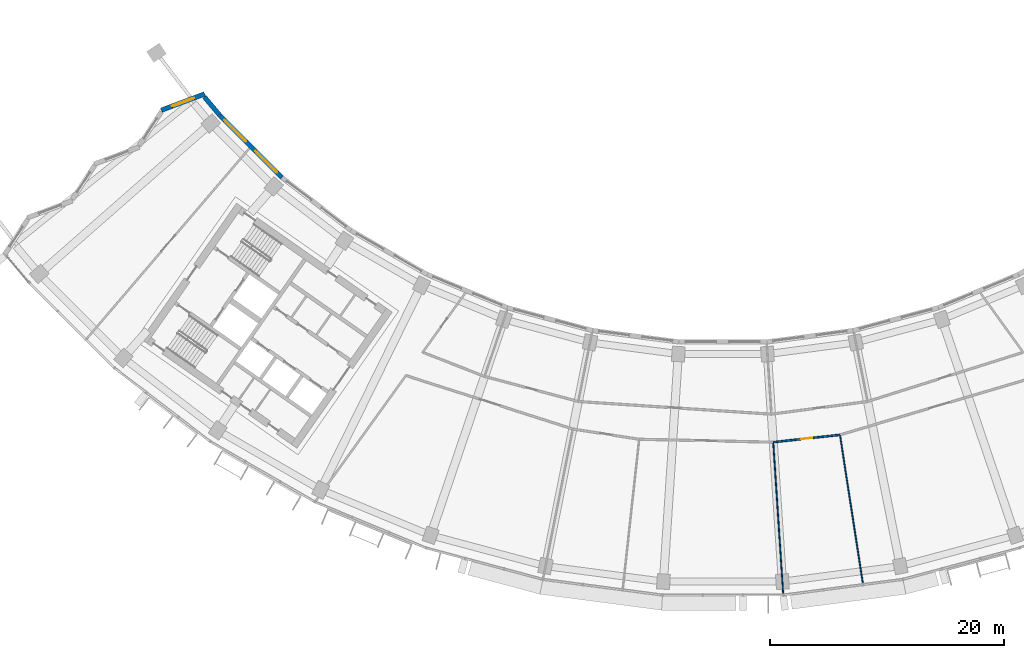
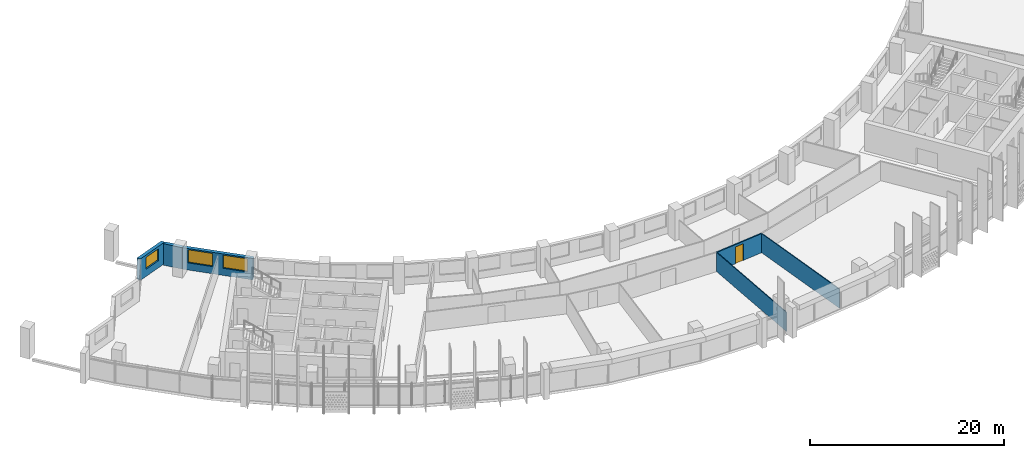
# One storey, part 5 of 27: 6 walls, 3 windows, 1 door, 4 openings.
"""IFC4 building model written with IfcOpenShell, lengths in metres."""

from ifc_helpers import new_model, si_unit, direction, frame, frame_2d, origin, place, context, subcontext, project, spatial, rectangle, extrude, material, layer, layer_set, type_object, element, fill, save


model = new_model("IFC4")

# Units and contexts
model_context = context("Model", 3, precision=1e-05, world=origin(), true_north=direction((0.0, 1.0)))
body_context = subcontext(model_context, "Body", "Model", "MODEL_VIEW")
ifc_project = project(units=[si_unit("LENGTHUNIT", "METRE"), si_unit("AREAUNIT", "SQUARE_METRE"), si_unit("VOLUMEUNIT", "CUBIC_METRE"), si_unit("PLANEANGLEUNIT", "RADIAN"), si_unit("MASSUNIT", "GRAM", prefix="KILO")], contexts=[model_context])

# Site, building, storey
site_placement = place(None, origin())
site = spatial("IfcSite", under=ifc_project, at=site_placement, CompositionType="ELEMENT")
building_placement = place(site_placement, origin())
building = spatial("IfcBuilding", under=site, at=building_placement, Name="Qamariyya Broadcast Tower", CompositionType="ELEMENT")
storey_placement = place(building_placement, frame((0.0, 0.0, 187.300048828125)))
storey = spatial("IfcBuildingStorey", under=building, at=storey_placement, Name="L44", CompositionType="ELEMENT", Elevation=187.300048828125)

# Wall, opening, door
ifc_material_1 = material(Name="Gypsum board partition")
ifc_layer_1 = layer(ifc_material_1, 0.14990234375)
ifc_layer_set_1 = layer_set([ifc_layer_1], Name="Corridor partition 150 EI 60")
wall_type_1 = type_object("IfcWallType", Name="Corridor partition 150 EI 60", PredefinedType="PARTITIONING", material=ifc_layer_set_1)
wall_1_placement = place(storey_placement, frame((10.011474609375, -65.033935546875, 0.0), z_axis=(0.0, 0.0, 1.0), x_axis=(-0.99405415906, -0.108886770802, 0.0)))
wall_1 = element("IfcWall", 1, at=wall_1_placement, inside=storey, type_object=wall_type_1, Name="Partition L44-016", PredefinedType="PARTITIONING", context=body_context, shape_type="SweptSolid", body=[
    extrude(rectangle(XDim=5.7421875, YDim=0.14990234375, at=frame_2d((2.87109375, 0.0))), origin(), (0.0, 0.0, 1.0), 2.39990234375),
])
opening_1_placement = place(wall_1_placement, frame((2.37109375, 0.0, 0.0)))
opening_1 = element("IfcOpeningElement", 2, at=opening_1_placement, cuts=wall_1, Name="Opening L44-D04", PredefinedType="OPENING", context=body_context, shape_type="SweptSolid", body=[
    extrude(rectangle(XDim=1.0, YDim=2.10009765625, at=frame_2d((0.5, 1.050048828125))), frame((0.0, 0.0849609375, 0.0), z_axis=(0.0, -1.0, 0.0), x_axis=(1.0, 0.0, 0.0)), (0.0, 0.0, 1.0), 0.169921875),
])
ifc_material_2 = material(Name="Timber fire door leaf", Category="wood")
door_type = type_object("IfcDoorType", Name="Fire door 1000 x 2100 FD60", OperationType="NOTDEFINED", PredefinedType="DOOR", material=ifc_material_2)
door_placement = place(opening_1_placement, origin())
door = element("IfcDoor", 3, at=door_placement, inside=storey, type_object=door_type, Name="Door L44-D04", OperationType="SINGLE_SWING_RIGHT", OverallHeight=2.10009765625, OverallWidth=1.0, PredefinedType="DOOR", context=body_context, shape_type="SweptSolid", body=[
    extrude(rectangle(XDim=1.0, YDim=2.10009765625, at=frame_2d((0.5, 1.050048828125))), frame((0.0, 0.02490234375, 0.0), z_axis=(0.0, -1.0, 0.0), x_axis=(1.0, 0.0, 0.0)), (0.0, 0.0, 1.0), 0.050048828125),
])
fill(opening_1, door)

# Walls
ifc_layer_2 = layer(ifc_material_1, 0.10009765625)
ifc_layer_set_2 = layer_set([ifc_layer_2], Name="Partition 100")
wall_type_2 = type_object("IfcWallType", Name="Partition 100", PredefinedType="PARTITIONING", material=ifc_layer_set_2)
wall_2_placement = place(storey_placement, frame((5.15380859375, -78.63134765625, 0.0), z_axis=(0.0, 0.0, 1.0), x_axis=(-0.065411967988, 0.997858343877, 0.0)))
element("IfcWall", 4, at=wall_2_placement, inside=storey, type_object=wall_type_2, Name="Partition L44-017", PredefinedType="PARTITIONING", context=body_context, shape_type="SweptSolid", body=[
    extrude(rectangle(XDim=12.925048828125, YDim=0.10009765625, at=frame_2d((6.46240234375, 0.0))), origin(), (0.0, 0.0, 1.0), 2.39990234375),
])
wall_3_placement = place(storey_placement, frame((11.966552734375, -77.73388671875, 0.0), z_axis=(0.0, 0.0, 1.0), x_axis=(-0.152147660046, 0.988357774059, 0.0)))
element("IfcWall", 5, at=wall_3_placement, inside=storey, type_object=wall_type_2, Name="Partition L44-020", PredefinedType="PARTITIONING", context=body_context, shape_type="SweptSolid", body=[
    extrude(rectangle(XDim=12.7744140625, YDim=0.10009765625, at=frame_2d((6.38720703125, 0.0))), origin(), (0.0, 0.0, 1.0), 2.39990234375),
])

# Wall, opening, window
ifc_material_3 = material(Name="Terracotta", Category="masonry")
ifc_layer_3 = layer(ifc_material_3, 0.39990234375)
ifc_layer_set_3 = layer_set([ifc_layer_3], Name="Terracotta clad wall 400")
wall_type_3 = type_object("IfcWallType", Name="Terracotta clad wall 400", PredefinedType="SOLIDWALL", material=ifc_layer_set_3)
wall_4_placement = place(storey_placement, frame((-44.315185546875, -35.875732421875, 0.0), z_axis=(0.0, 0.0, 1.0), x_axis=(-0.935995996599, -0.352010645224, 0.0)))
wall_4 = element("IfcWall", 6, at=wall_4_placement, inside=storey, type_object=wall_type_3, Name="e-wl-L44-capW0", PredefinedType="SOLIDWALL", context=body_context, shape_type="SweptSolid", body=[
    extrude(rectangle(XDim=3.94970703125, YDim=0.39990234375, at=frame_2d((1.974853515625, 0.0))), origin(), (0.0, 0.0, 1.0), 2.699951171875),
])
opening_2_placement = place(wall_4_placement, frame((0.974853515625, 0.0, 0.89990234375)))
opening_2 = element("IfcOpeningElement", 7, at=opening_2_placement, cuts=wall_4, Name="Opening W4", PredefinedType="OPENING", context=body_context, shape_type="SweptSolid", body=[
    extrude(rectangle(XDim=2.0, YDim=1.5, at=frame_2d((1.0, 0.75))), frame((0.0, 0.2099609375, 0.0), z_axis=(0.0, -1.0, 0.0), x_axis=(1.0, 0.0, 0.0)), (0.0, 0.0, 1.0), 0.419921875),
])
ifc_material_4 = material(Name="Clear low-e double glazed unit in aluminium frame", Category="aluminium")
window_type_1 = type_object("IfcWindowType", Name="Horn bay window 2000 x 1500", PartitioningType="SINGLE_PANEL", PredefinedType="WINDOW", material=ifc_material_4)
window_1_placement = place(opening_2_placement, origin())
window_1 = element("IfcWindow", 8, at=window_1_placement, inside=storey, type_object=window_type_1, Name="e-w-L44-capW0", OverallHeight=1.5, OverallWidth=2.0, PartitioningType="SINGLE_PANEL", PredefinedType="WINDOW", context=body_context, shape_type="SweptSolid", body=[
    extrude(rectangle(XDim=2.0, YDim=1.5, at=frame_2d((1.0, 0.75))), frame((0.0, 0.030029296875, 0.0), z_axis=(0.0, -1.0, 0.0), x_axis=(1.0, 0.0, 0.0)), (0.0, 0.0, 1.0), 0.06005859375),
])
fill(opening_2, window_1)

# Wall
wall_5_placement = place(storey_placement, frame((-43.023193359375, -37.693359375, 0.0), z_axis=(0.0, 0.0, 1.0), x_axis=(-0.642989427985, 0.765875052146, 0.0)))
element("IfcWall", 9, at=wall_5_placement, inside=storey, type_object=wall_type_3, Name="e-wl-L44-in00", PredefinedType="SOLIDWALL", context=body_context, shape_type="SweptSolid", body=[
    extrude(rectangle(XDim=2.034423828125, YDim=0.39990234375, at=frame_2d((1.01708984375, 0.0))), origin(), (0.0, 0.0, 1.0), 2.699951171875),
])

# Wall, openings, windows
wall_6_placement = place(storey_placement, frame((-37.697265625, -43.023193359375, 0.0), z_axis=(0.0, 0.0, 1.0), x_axis=(-0.707090543216, 0.707123018784, 0.0)))
wall_6 = element("IfcWall", 10, at=wall_6_placement, inside=storey, type_object=wall_type_3, Name="e-wl-L44-in10", PredefinedType="SOLIDWALL", context=body_context, shape_type="SweptSolid", body=[
    extrude(rectangle(XDim=7.517578125, YDim=0.39990234375, at=frame_2d((3.7587890625, 0.0))), origin(), (0.0, 0.0, 1.0), 2.699951171875),
])
opening_3_placement = place(wall_6_placement, frame((4.330078125, 0.0, 0.89990234375)))
opening_3 = element("IfcOpeningElement", 11, at=opening_3_placement, cuts=wall_6, Name="Opening W1", PredefinedType="OPENING", context=body_context, shape_type="SweptSolid", body=[
    extrude(rectangle(XDim=2.60009765625, YDim=1.64990234375, at=frame_2d((1.300048828125, 0.824951171875))), frame((0.0, 0.2099609375, 0.0), z_axis=(0.0, -1.0, 0.0), x_axis=(1.0, 0.0, 0.0)), (0.0, 0.0, 1.0), 0.419921875),
])
opening_4_placement = place(wall_6_placement, frame((0.60205078125, 0.0, 0.89990234375)))
opening_4 = element("IfcOpeningElement", 12, at=opening_4_placement, cuts=wall_6, Name="Opening W1", PredefinedType="OPENING", context=body_context, shape_type="SweptSolid", body=[
    extrude(rectangle(XDim=2.60009765625, YDim=1.64990234375, at=frame_2d((1.300048828125, 0.824951171875))), frame((0.0, 0.2099609375, 0.0), z_axis=(0.0, -1.0, 0.0), x_axis=(1.0, 0.0, 0.0)), (0.0, 0.0, 1.0), 0.419921875),
])
window_type_2 = type_object("IfcWindowType", Name="Ribbon window 2600 x 1650", PartitioningType="SINGLE_PANEL", PredefinedType="WINDOW", material=ifc_material_4)
window_2_placement = place(opening_3_placement, origin())
window_2 = element("IfcWindow", 13, at=window_2_placement, inside=storey, type_object=window_type_2, Name="e-w-L44-in01-0", OverallHeight=1.64990234375, OverallWidth=2.60009765625, PartitioningType="SINGLE_PANEL", PredefinedType="WINDOW", context=body_context, shape_type="SweptSolid", body=[
    extrude(rectangle(XDim=2.60009765625, YDim=1.64990234375, at=frame_2d((1.300048828125, 0.824951171875))), frame((0.0, 0.030029296875, 0.0), z_axis=(0.0, -1.0, 0.0), x_axis=(1.0, 0.0, 0.0)), (0.0, 0.0, 1.0), 0.06005859375),
])
fill(opening_3, window_2)
window_3_placement = place(opening_4_placement, origin())
window_3 = element("IfcWindow", 14, at=window_3_placement, inside=storey, type_object=window_type_2, Name="e-w-L44-in01-1", OverallHeight=1.64990234375, OverallWidth=2.60009765625, PartitioningType="SINGLE_PANEL", PredefinedType="WINDOW", context=body_context, shape_type="SweptSolid", body=[
    extrude(rectangle(XDim=2.60009765625, YDim=1.64990234375, at=frame_2d((1.300048828125, 0.824951171875))), frame((0.0, 0.030029296875, 0.0), z_axis=(0.0, -1.0, 0.0), x_axis=(1.0, 0.0, 0.0)), (0.0, 0.0, 1.0), 0.06005859375),
])
fill(opening_4, window_3)

save(model, "model.ifc")
